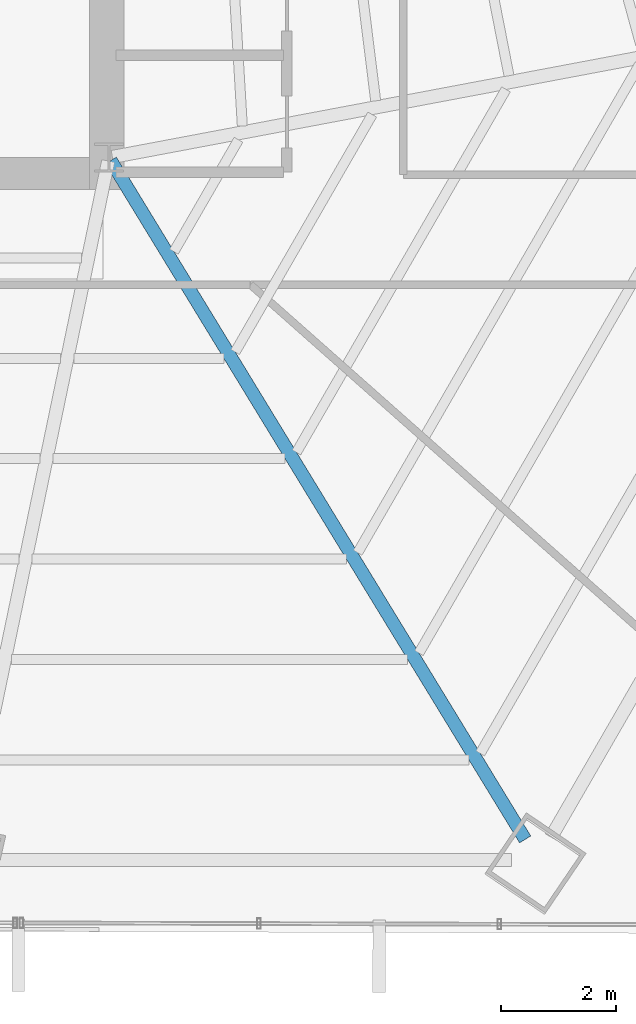
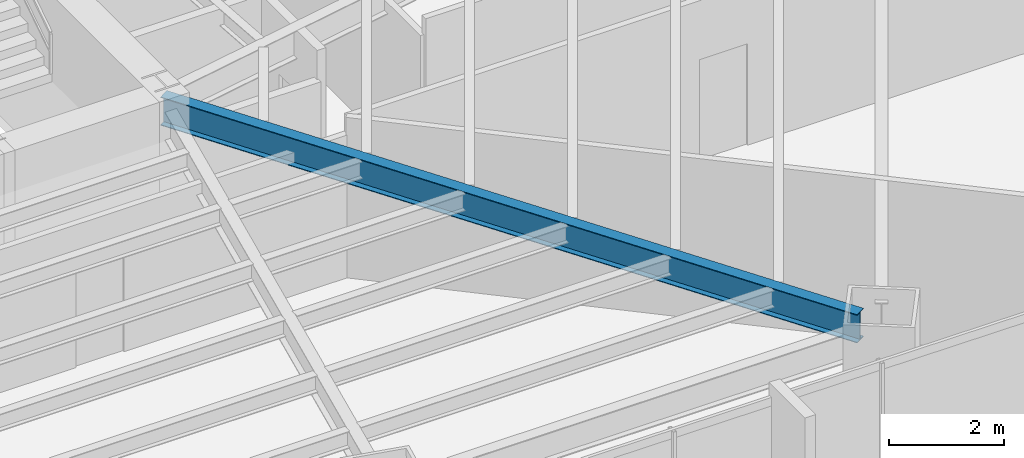
# One storey, part 17 of 37: 1 beam.
"""IFC4 building model written with IfcOpenShell, lengths in metres."""

from ifc_helpers import new_model, si_unit, direction, frame, origin, origin_2d, place, context, subcontext, project, spatial, i_section, extrude, source, transform, mapped, material, material_profile, profile_set, type_object, type_shapes, element, save


model = new_model("IFC4")

# Units and contexts
model_context = context("Model", 3, precision=1e-05, world=origin(), true_north=direction((0.0, 1.0)))
body_context = subcontext(model_context, "Body", "Model", "MODEL_VIEW")
ifc_project = project(units=[si_unit("LENGTHUNIT", "METRE"), si_unit("AREAUNIT", "SQUARE_METRE"), si_unit("VOLUMEUNIT", "CUBIC_METRE"), si_unit("PLANEANGLEUNIT", "RADIAN"), si_unit("MASSUNIT", "GRAM", prefix="KILO")], contexts=[model_context])

# Site, building, storey
site_placement = place(None, origin())
site = spatial("IfcSite", under=ifc_project, at=site_placement, CompositionType="ELEMENT")
building_placement = place(site_placement, origin())
building = spatial("IfcBuilding", under=site, at=building_placement, Name="Caelisora Broadcast Tower", CompositionType="ELEMENT")
storey_placement = place(building_placement, frame((0.0, 0.0, 45.85009765625)))
storey = spatial("IfcBuildingStorey", under=building, at=storey_placement, Name="L11", CompositionType="ELEMENT", Elevation=45.85009765625)

# Beam
ifc_material = material(Name="Steel Grade 350 (AS/NZS 3679.1)", Category="steel")
ifc_material_profile = material_profile(ifc_material, i_section(OverallWidth=0.22802734375, OverallDepth=0.602294921875, WebThickness=0.010498046875, FlangeThickness=0.014892578125, at=origin_2d()), Name="Steel Grade 350 (AS/NZS 3679.1)")
ifc_profile_set = profile_set([ifc_material_profile], Name="Steel Grade 350 (AS/NZS 3679.1)")
beam_type = type_object("IfcBeamType", Name="PG04", PredefinedType="BEAM", material=ifc_profile_set)
shared_shape = source(origin(), body_context, "Body", "SweptSolid", [
    extrude(i_section(OverallWidth=0.22802734375, OverallDepth=0.602294921875, WebThickness=0.010498046875, FlangeThickness=0.014892578125, at=origin_2d()), origin(), (0.0, 0.0, 1.0), 13.774169921875),
])
type_shapes(beam_type, [shared_shape])
beam_placement = place(storey_placement, frame((45.53125, 17.348876953125, 3.098876953125), z_axis=(0.521062089815, -0.853518774578, 0.0), x_axis=(0.853518774578, 0.521062089815, 0.0)))
element("IfcBeam", 1, at=beam_placement, inside=storey, type_object=beam_type, Name="L11 beam PG04", PredefinedType="BEAM", context=body_context, shape_type="MappedRepresentation", body=[
    mapped(shared_shape, transform((0.0, 0.0, 0.0), scale=1.0)),
])

save(model, "model.ifc")
